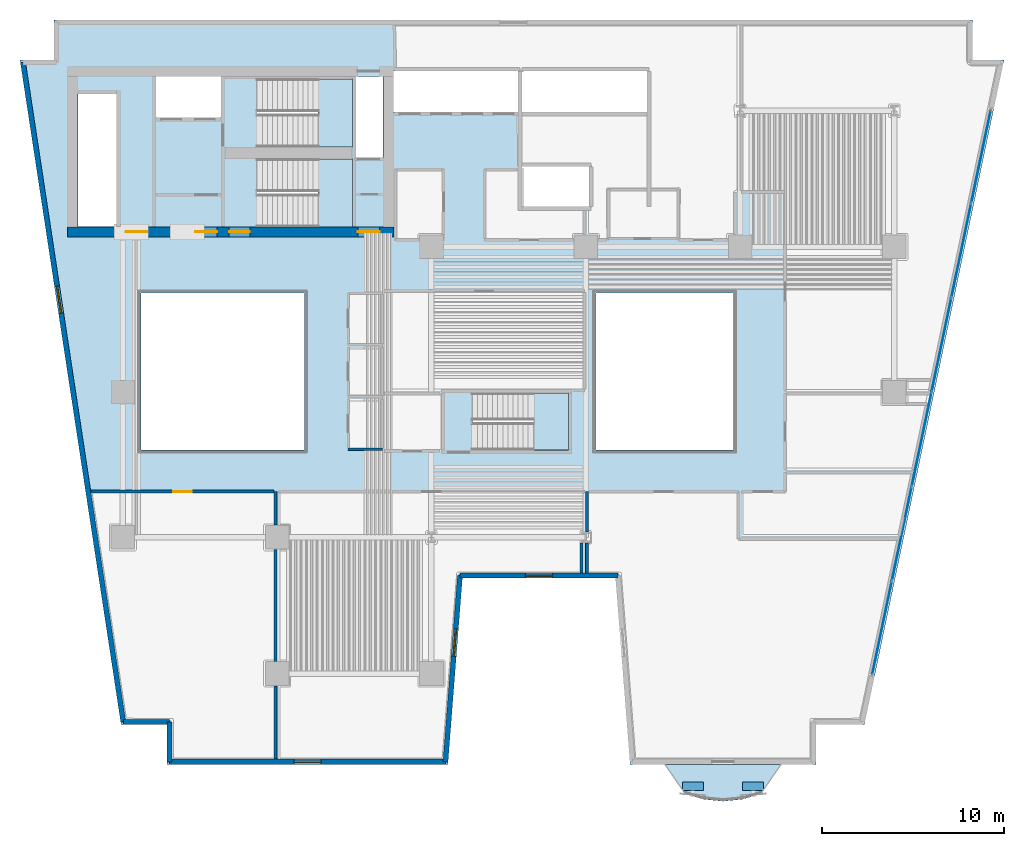
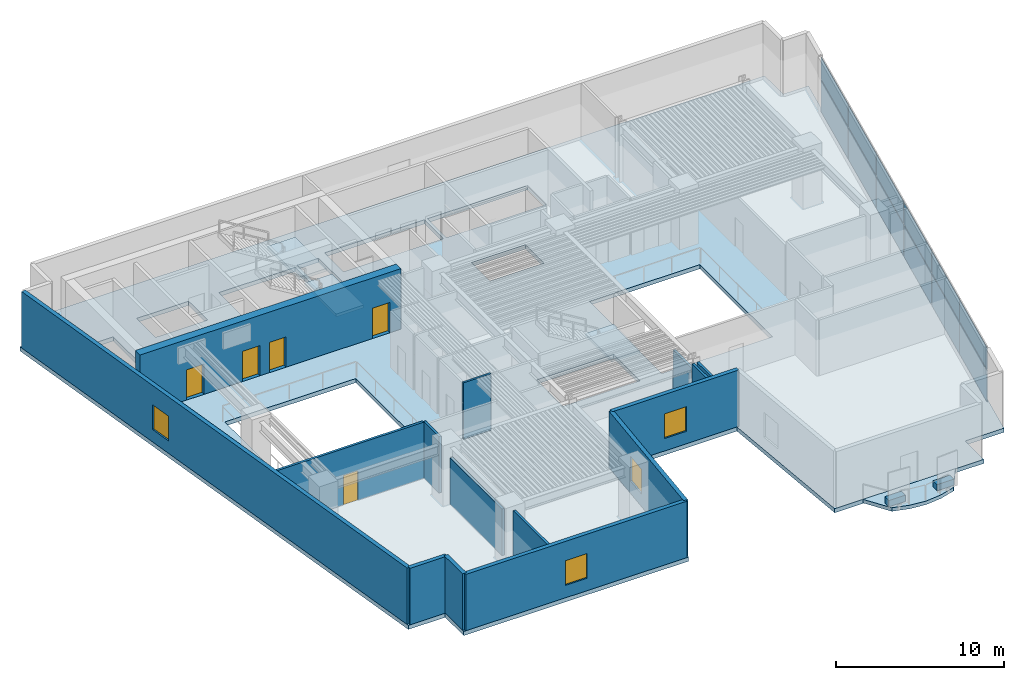
# One storey, part 3 of 12: 15 walls, 14 plates, 5 doors, 5 slabs, 4 windows, 9 openings, 4 elements without a shape of their own.
"""IFC4 building model written with IfcOpenShell, lengths in metres."""

from ifc_helpers import new_model, si_unit, direction, frame, frame_2d, origin, origin_2d, place, context, subcontext, project, spatial, polyline, rectangle, outline, extrude, material, layer, layer_set, type_object, element, fill, aggregate, save


model = new_model("IFC4")

# Units and contexts
model_context = context("Model", 3, precision=1e-05, world=origin(), true_north=direction((0.0, 1.0)))
body_context = subcontext(model_context, "Body", "Model", "MODEL_VIEW")
ifc_project = project(units=[si_unit("LENGTHUNIT", "METRE"), si_unit("AREAUNIT", "SQUARE_METRE"), si_unit("VOLUMEUNIT", "CUBIC_METRE"), si_unit("PLANEANGLEUNIT", "RADIAN"), si_unit("MASSUNIT", "GRAM", prefix="KILO")], contexts=[model_context])

# Site, building, storey
site_placement = place(None, origin())
site = spatial("IfcSite", under=ifc_project, at=site_placement, CompositionType="ELEMENT")
building_placement = place(site_placement, origin())
building = spatial("IfcBuilding", under=site, at=building_placement, Name="Caeloran Harvest Quay", CompositionType="ELEMENT")
storey_placement = place(building_placement, frame((0.0, 0.0, 35.800048828125)))
storey = spatial("IfcBuildingStorey", under=building, at=storey_placement, Name="L08", CompositionType="ELEMENT", Elevation=35.800048828125)

# Slab
ifc_material_1 = material(Name="Concrete C50/60", Category="concrete")
ifc_layer_1 = layer(ifc_material_1, 0.260009765625, Name="Concrete C50/60")
ifc_layer_set_1 = layer_set([ifc_layer_1], Name="Concrete C50/60")
slab_type_1 = type_object("IfcSlabType", Name="BALCONY-BL-260", PredefinedType="FLOOR", material=ifc_layer_set_1)
slab_1_placement = place(storey_placement, frame((0.0, 0.0, -0.260009765625)))
element("IfcSlab", 1, at=slab_1_placement, inside=storey, type_object=slab_type_1, Name="L08 Scalloped Cantilevered Planted Balcony Slab", PredefinedType="FLOOR", context=body_context, shape_type="SweptSolid", body=[
    extrude(outline(polyline([(43.686767578125, 0.876708984375), (42.622802734375, 0.573974609375), (41.55859375, 0.463134765625), (40.494384765625, 0.573974609375), (39.43017578125, 0.876708984375), (38.37890625, 2.5), (44.738037109375, 2.5), (43.686767578125, 0.876708984375)])), origin(), (0.0, 0.0, 1.0), 0.260009765625),
])

# Curtain wall, plates
ifc_material_2 = material(Name="Aluminium 6063-T6 and Low-E Glazing", Category="aluminium")
ifc_layer_2 = layer(ifc_material_2, 0.199951171875, Name="Aluminium 6063-T6 and Low-E Glazing")
ifc_layer_set_2 = layer_set([ifc_layer_2], Name="Aluminium 6063-T6 and Low-E Glazing")
curtain_wall_type = type_object("IfcCurtainWallType", Name="CW-SYS-CW-2", PredefinedType="USERDEFINED", material=ifc_layer_set_2)
curtain_wall_placement = place(storey_placement, origin())
curtain_wall = element("IfcCurtainWall", 2, at=curtain_wall_placement, inside=storey, type_object=curtain_wall_type, Name="L08 Unitised Curtain Wall CW-2 Run 9", ObjectType="CURTAIN_WALL", PredefinedType="USERDEFINED")
ifc_material_3 = material(Name="Low-E Double Glazed Vision Glass Unit", Category="glass")
ifc_layer_3 = layer(ifc_material_3, 0.035888671875, Name="Low-E Double Glazed Vision Glass Unit")
ifc_layer_set_3 = layer_set([ifc_layer_3], Name="Low-E Double Glazed Vision Glass Unit")
plate_type_1 = type_object("IfcPlateType", Name="CW-VISION-PANEL", PredefinedType="CURTAIN_PANEL", material=ifc_layer_set_3)
plate_1_placement = place(storey_placement, frame((55.780029296875, 35.993408203125, 0.080078125), z_axis=(0.0, 0.0, 1.0), x_axis=(-0.205582960081, -0.978639691881, 0.0)))
plate_1 = element("IfcPlate", 3, at=plate_1_placement, type_object=plate_type_1, Name="CW-2 panel 1.1", PredefinedType="CURTAIN_PANEL", context=body_context, shape_type="SweptSolid", body=[
    extrude(rectangle(XDim=5.19873046875, YDim=0.035888671875, at=origin_2d()), origin(), (0.0, 0.0, 1.0), 2.280029296875),
])
plate_2_placement = place(storey_placement, frame((55.780029296875, 35.993408203125, 2.43994140625), z_axis=(0.0, 0.0, 1.0), x_axis=(-0.205582960081, -0.978639691881, 0.0)))
plate_2 = element("IfcPlate", 4, at=plate_2_placement, type_object=plate_type_1, Name="CW-2 panel 1.2", PredefinedType="CURTAIN_PANEL", context=body_context, shape_type="SweptSolid", body=[
    extrude(rectangle(XDim=5.19873046875, YDim=0.035888671875, at=origin_2d()), origin(), (0.0, 0.0, 1.0), 1.580078125),
])
plate_3_placement = place(storey_placement, frame((54.690673828125, 30.807861328125, 0.080078125), z_axis=(0.0, 0.0, 1.0), x_axis=(-0.205582960081, -0.978639691881, 0.0)))
plate_3 = element("IfcPlate", 5, at=plate_3_placement, type_object=plate_type_1, Name="CW-2 panel 2.1", PredefinedType="CURTAIN_PANEL", context=body_context, shape_type="SweptSolid", body=[
    extrude(rectangle(XDim=5.23876953125, YDim=0.035888671875, at=origin_2d()), origin(), (0.0, 0.0, 1.0), 2.280029296875),
])
plate_4_placement = place(storey_placement, frame((54.690673828125, 30.807861328125, 2.43994140625), z_axis=(0.0, 0.0, 1.0), x_axis=(-0.205582960081, -0.978639691881, 0.0)))
plate_4 = element("IfcPlate", 6, at=plate_4_placement, type_object=plate_type_1, Name="CW-2 panel 2.2", PredefinedType="CURTAIN_PANEL", context=body_context, shape_type="SweptSolid", body=[
    extrude(rectangle(XDim=5.23876953125, YDim=0.035888671875, at=origin_2d()), origin(), (0.0, 0.0, 1.0), 1.580078125),
])
plate_5_placement = place(storey_placement, frame((53.59716796875, 25.6025390625, 0.080078125), z_axis=(0.0, 0.0, 1.0), x_axis=(-0.205582960081, -0.978639691881, 0.0)))
plate_5 = element("IfcPlate", 7, at=plate_5_placement, type_object=plate_type_1, Name="CW-2 panel 3.1", PredefinedType="CURTAIN_PANEL", context=body_context, shape_type="SweptSolid", body=[
    extrude(rectangle(XDim=5.23876953125, YDim=0.035888671875, at=origin_2d()), origin(), (0.0, 0.0, 1.0), 2.280029296875),
])
plate_6_placement = place(storey_placement, frame((53.59716796875, 25.6025390625, 2.43994140625), z_axis=(0.0, 0.0, 1.0), x_axis=(-0.205582960081, -0.978639691881, 0.0)))
plate_6 = element("IfcPlate", 8, at=plate_6_placement, type_object=plate_type_1, Name="CW-2 panel 3.2", PredefinedType="CURTAIN_PANEL", context=body_context, shape_type="SweptSolid", body=[
    extrude(rectangle(XDim=5.23876953125, YDim=0.035888671875, at=origin_2d()), origin(), (0.0, 0.0, 1.0), 1.580078125),
])
plate_7_placement = place(storey_placement, frame((52.503662109375, 20.3974609375, 0.080078125), z_axis=(0.0, 0.0, 1.0), x_axis=(-0.205582960081, -0.978639691881, 0.0)))
plate_7 = element("IfcPlate", 9, at=plate_7_placement, type_object=plate_type_1, Name="CW-2 panel 4.1", PredefinedType="CURTAIN_PANEL", context=body_context, shape_type="SweptSolid", body=[
    extrude(rectangle(XDim=5.23876953125, YDim=0.035888671875, at=origin_2d()), origin(), (0.0, 0.0, 1.0), 2.280029296875),
])
plate_8_placement = place(storey_placement, frame((52.503662109375, 20.3974609375, 2.43994140625), z_axis=(0.0, 0.0, 1.0), x_axis=(-0.205582960081, -0.978639691881, 0.0)))
plate_8 = element("IfcPlate", 10, at=plate_8_placement, type_object=plate_type_1, Name="CW-2 panel 4.2", PredefinedType="CURTAIN_PANEL", context=body_context, shape_type="SweptSolid", body=[
    extrude(rectangle(XDim=5.23876953125, YDim=0.035888671875, at=origin_2d()), origin(), (0.0, 0.0, 1.0), 1.580078125),
])
plate_9_placement = place(storey_placement, frame((51.41015625, 15.192138671875, 0.080078125), z_axis=(0.0, 0.0, 1.0), x_axis=(-0.205582960081, -0.978639691881, 0.0)))
plate_9 = element("IfcPlate", 11, at=plate_9_placement, type_object=plate_type_1, Name="CW-2 panel 5.1", PredefinedType="CURTAIN_PANEL", context=body_context, shape_type="SweptSolid", body=[
    extrude(rectangle(XDim=5.23876953125, YDim=0.035888671875, at=origin_2d()), origin(), (0.0, 0.0, 1.0), 2.280029296875),
])
plate_10_placement = place(storey_placement, frame((51.41015625, 15.192138671875, 2.43994140625), z_axis=(0.0, 0.0, 1.0), x_axis=(-0.205582960081, -0.978639691881, 0.0)))
plate_10 = element("IfcPlate", 12, at=plate_10_placement, type_object=plate_type_1, Name="CW-2 panel 5.2", PredefinedType="CURTAIN_PANEL", context=body_context, shape_type="SweptSolid", body=[
    extrude(rectangle(XDim=5.23876953125, YDim=0.035888671875, at=origin_2d()), origin(), (0.0, 0.0, 1.0), 1.580078125),
])
plate_11_placement = place(storey_placement, frame((50.321044921875, 10.006591796875, 0.080078125), z_axis=(0.0, 0.0, 1.0), x_axis=(-0.205582960081, -0.978639691881, 0.0)))
plate_11 = element("IfcPlate", 13, at=plate_11_placement, type_object=plate_type_1, Name="CW-2 panel 6.1", PredefinedType="CURTAIN_PANEL", context=body_context, shape_type="SweptSolid", body=[
    extrude(rectangle(XDim=5.19873046875, YDim=0.035888671875, at=origin_2d()), origin(), (0.0, 0.0, 1.0), 2.280029296875),
])
plate_12_placement = place(storey_placement, frame((50.321044921875, 10.006591796875, 2.43994140625), z_axis=(0.0, 0.0, 1.0), x_axis=(-0.205582960081, -0.978639691881, 0.0)))
plate_12 = element("IfcPlate", 14, at=plate_12_placement, type_object=plate_type_1, Name="CW-2 panel 6.2", PredefinedType="CURTAIN_PANEL", context=body_context, shape_type="SweptSolid", body=[
    extrude(rectangle(XDim=5.19873046875, YDim=0.035888671875, at=origin_2d()), origin(), (0.0, 0.0, 1.0), 1.580078125),
])
aggregate(curtain_wall, [plate_1, plate_2, plate_3, plate_4, plate_5, plate_6, plate_7, plate_8, plate_9, plate_10, plate_11, plate_12])

# Plates
ifc_material_4 = material(Name="Precast concrete C50/60", Category="concrete")
ifc_layer_4 = layer(ifc_material_4, 0.449951171875, Name="Precast concrete C50/60")
ifc_layer_set_4 = layer_set([ifc_layer_4], Name="Precast concrete C50/60")
plate_type_2 = type_object("IfcPlateType", Name="PLANTER-TROUGH-450", PredefinedType="USERDEFINED", material=ifc_layer_set_4)
for number, where, z_axis, x_axis, name in (
    (15, (43.218505859375, 1.290283203125, 0.0), (0.0, 0.0, 1.0), (1.0, 0.0, 0.0), "L08 Balcony Vertical-Greenery Precast PLANTER Trough 1"),
    (16, (39.8984375, 1.290283203125, 0.0), (0.0, 0.0, 1.0), (1.0, 0.0, 0.0), "L08 Balcony Vertical-Greenery Precast PLANTER Trough 2"),
):
    element("IfcPlate", number, at=place(storey_placement, frame(where, z_axis=z_axis, x_axis=x_axis)), inside=storey, type_object=plate_type_2, Name=name, ObjectType="PLANTER", PredefinedType="USERDEFINED", context=body_context, shape_type="SweptSolid", body=[
        extrude(rectangle(XDim=1.14990234375, YDim=0.47998046875, at=origin_2d()), origin(), (0.0, 0.0, 1.0), 0.449951171875),
    ])

# Slab
ifc_layer_5 = layer(ifc_material_1, 0.300048828125, Name="Concrete C50/60")
ifc_layer_set_5 = layer_set([ifc_layer_5], Name="Concrete C50/60")
slab_type_2 = type_object("IfcSlabType", Name="SLAB-FS-300", PredefinedType="FLOOR", material=ifc_layer_set_5)
slab_2_placement = place(storey_placement, frame((0.0, 0.0, -0.300048828125)))
element("IfcSlab", 17, at=slab_2_placement, inside=storey, type_object=slab_type_2, Name="L08 Structural Floor Slab", PredefinedType="FLOOR", context=body_context, shape_type="SweptSolid", body=[
    extrude(outline(polyline([(10.93701171875, 2.5), (26.403076171875, 2.5), (27.202880859375, 12.75), (35.640380859375, 12.75), (36.4404296875, 2.5), (46.68701171875, 2.5), (46.68701171875, 4.699951171875), (49.34912109375, 4.699951171875), (57.037841796875, 41.300048828125), (55.300048828125, 41.300048828125), (55.300048828125, 43.5), (4.699951171875, 43.5), (4.699951171875, 41.300048828125), (2.834716796875, 41.300048828125), (8.40234375, 4.699951171875), (10.93701171875, 4.699951171875), (10.93701171875, 2.5)]), holes=[polyline([(18.5, 19.800048828125), (9.5, 19.800048828125), (9.5, 28.449951171875), (18.5, 28.449951171875), (18.5, 19.800048828125)]), polyline([(15.89990234375, 32.10009765625), (15.89990234375, 35.85009765625), (21.14990234375, 35.85009765625), (21.14990234375, 32.10009765625), (15.89990234375, 32.10009765625)]), polyline([(8.159912109375, 32.1201171875), (6.02001953125, 32.1201171875), (6.02001953125, 39.419921875), (8.159912109375, 39.419921875), (8.159912109375, 32.1201171875)]), polyline([(21.35009765625, 35.919921875), (21.35009765625, 40.3798828125), (22.830078125, 40.3798828125), (22.830078125, 35.919921875), (21.35009765625, 35.919921875)]), polyline([(15.89990234375, 40.25), (21.14990234375, 40.25), (21.14990234375, 36.5), (15.89990234375, 36.5), (15.89990234375, 40.25)]), polyline([(13.89990234375, 38.1201171875), (10.320068359375, 38.1201171875), (10.320068359375, 40.3798828125), (13.89990234375, 40.3798828125), (13.89990234375, 38.1201171875)]), polyline([(27.75, 22.949951171875), (33.050048828125, 22.949951171875), (33.050048828125, 19.800048828125), (27.75, 19.800048828125), (27.75, 22.949951171875)]), polyline([(34.550048828125, 19.800048828125), (34.550048828125, 28.449951171875), (42.14990234375, 28.449951171875), (42.14990234375, 19.800048828125), (34.550048828125, 19.800048828125)]), polyline([(34.199951171875, 33.219970703125), (30.47998046875, 33.219970703125), (30.47998046875, 35.429931640625), (34.199951171875, 35.429931640625), (34.199951171875, 33.219970703125)]), polyline([(23.419921875, 38.419921875), (23.419921875, 40.679931640625), (30.280029296875, 40.679931640625), (30.280029296875, 38.419921875), (23.419921875, 38.419921875)]), polyline([(30.47998046875, 38.419921875), (30.47998046875, 40.679931640625), (37.3798828125, 40.679931640625), (37.3798828125, 38.419921875), (30.47998046875, 38.419921875)])]), origin(), (0.0, 0.0, 1.0), 0.300048828125),
])

# Stair, slab
stair_type_1 = type_object("IfcStairType", Name="STAIR-STC-180", PredefinedType="HALF_TURN_STAIR", material=ifc_material_1)
stair_1_placement = place(storey_placement, origin())
stair_1 = element("IfcStair", 18, at=stair_1_placement, inside=storey, type_object=stair_type_1, Name="L08 Core Pressurized Exit Stair ST-C1", PredefinedType="HALF_TURN_STAIR")
ifc_layer_6 = layer(ifc_material_1, 0.219970703125, Name="Concrete C50/60")
ifc_layer_set_6 = layer_set([ifc_layer_6], Name="Concrete C50/60")
slab_type_3 = type_object("IfcSlabType", Name="STAIR-LANDING-220", PredefinedType="LANDING", material=ifc_layer_set_6)
slab_3_placement = place(storey_placement, frame((0.0, 0.0, 2.0)))
slab_3 = element("IfcSlab", 19, at=slab_3_placement, type_object=slab_type_3, Name="ST-C1 landing 1", PredefinedType="LANDING", context=body_context, shape_type="SweptSolid", body=[
    extrude(outline(polyline([(19.260009765625, 36.5), (21.14990234375, 36.5), (21.14990234375, 40.25), (19.260009765625, 40.25), (19.260009765625, 36.5)])), origin(), (0.0, 0.0, 1.0), 0.199951171875),
])
aggregate(stair_1, [slab_3])

stair_2_placement = place(storey_placement, origin())
stair_2 = element("IfcStair", 20, at=stair_2_placement, inside=storey, type_object=stair_type_1, Name="L08 Core Pressurized Exit Stair ST-C2", PredefinedType="HALF_TURN_STAIR")
slab_4_placement = place(storey_placement, frame((0.0, 0.0, 2.0)))
slab_4 = element("IfcSlab", 21, at=slab_4_placement, type_object=slab_type_3, Name="ST-C2 landing 1", PredefinedType="LANDING", context=body_context, shape_type="SweptSolid", body=[
    extrude(outline(polyline([(19.260009765625, 32.10009765625), (21.14990234375, 32.10009765625), (21.14990234375, 35.85009765625), (19.260009765625, 35.85009765625), (19.260009765625, 32.10009765625)])), origin(), (0.0, 0.0, 1.0), 0.199951171875),
])
aggregate(stair_2, [slab_4])

stair_type_2 = type_object("IfcStairType", Name="STAIR-STW-150", PredefinedType="HALF_TURN_STAIR", material=ifc_material_1)
stair_3_placement = place(storey_placement, origin())
stair_3 = element("IfcStair", 22, at=stair_3_placement, inside=storey, type_object=stair_type_2, Name="L08 East Wing Protected Exit Stair ST-W1", PredefinedType="HALF_TURN_STAIR")
slab_5_placement = place(storey_placement, frame((0.0, 0.0, 2.0)))
slab_5 = element("IfcSlab", 23, at=slab_5_placement, type_object=slab_type_3, Name="ST-W1 landing 1", PredefinedType="LANDING", context=body_context, shape_type="SweptSolid", body=[
    extrude(outline(polyline([(31.110107421875, 19.800048828125), (33.050048828125, 19.800048828125), (33.050048828125, 22.949951171875), (31.110107421875, 22.949951171875), (31.110107421875, 19.800048828125)])), origin(), (0.0, 0.0, 1.0), 0.199951171875),
])
aggregate(stair_3, [slab_5])

# Walls
ifc_layer_7 = layer(ifc_material_4, 0.280029296875, Name="Precast concrete C50/60")
ifc_layer_set_7 = layer_set([ifc_layer_7], Name="Precast concrete C50/60")
wall_type_1 = type_object("IfcWallType", Name="ENV-WALL-EW-280", PredefinedType="STANDARD", material=ifc_layer_set_7)
wall_1_placement = place(storey_placement, frame((11.076904296875, 2.639892578125, 0.0), z_axis=(0.0, 0.0, 1.0), x_axis=(0.0, 1.0, 0.0)))
element("IfcWall", 24, at=wall_1_placement, inside=storey, type_object=wall_type_1, Name="L08 Exterior Precast Concrete Facade Wall 1", PredefinedType="STANDARD", context=body_context, shape_type="SweptSolid", body=[
    extrude(rectangle(XDim=2.2001953125, YDim=0.280029296875, at=frame_2d((1.10009765625, 0.0))), origin(), (0.0, 0.0, 1.0), 4.099853515625),
])
wall_2_placement = place(storey_placement, frame((11.076904296875, 4.840087890625, 0.0), z_axis=(0.0, 0.0, 1.0), x_axis=(-1.0, 0.0, 0.0)))
element("IfcWall", 25, at=wall_2_placement, inside=storey, type_object=wall_type_1, Name="L08 Exterior Precast Concrete Facade Wall 2", PredefinedType="STANDARD", context=body_context, shape_type="SweptSolid", body=[
    extrude(rectangle(XDim=2.55419921875, YDim=0.280029296875, at=frame_2d((1.277099609375, 0.0))), origin(), (0.0, 0.0, 1.0), 4.099853515625),
])

# Wall, opening, window
wall_3_placement = place(storey_placement, frame((8.522705078125, 4.840087890625, 0.0), z_axis=(0.0, 0.0, 1.0), x_axis=(-0.150394554312, 0.988626055712, 0.0)))
wall_3 = element("IfcWall", 26, at=wall_3_placement, inside=storey, type_object=wall_type_1, Name="L08 Exterior Precast Concrete Facade Wall 3", PredefinedType="STANDARD", context=body_context, shape_type="SweptSolid", body=[
    extrude(rectangle(XDim=36.73779296875, YDim=0.280029296875, at=frame_2d((18.368896484375, 0.0))), origin(), (0.0, 0.0, 1.0), 4.099853515625),
])
opening_1_placement = place(wall_3_placement, frame((22.761962890625, 0.0, 0.89990234375)))
opening_1 = element("IfcOpeningElement", 27, at=opening_1_placement, cuts=wall_3, Name="Opening W-03", PredefinedType="OPENING", context=body_context, shape_type="SweptSolid", body=[
    extrude(rectangle(XDim=1.5, YDim=1.800048828125, at=frame_2d((0.75, 0.89990234375))), frame((0.0, 0.14990234375, 0.0), z_axis=(0.0, -1.0, 0.0), x_axis=(1.0, 0.0, 0.0)), (0.0, 0.0, 1.0), 0.300048828125),
])
ifc_material_5 = material(Name="Aluminium-Framed Low-E Laminated Glass", Category="aluminium")
window_type = type_object("IfcWindowType", Name="WIN-W-03", PartitioningType="SINGLE_PANEL", PredefinedType="WINDOW", material=ifc_material_5)
window_1_placement = place(opening_1_placement, origin())
window_1 = element("IfcWindow", 28, at=window_1_placement, inside=storey, type_object=window_type, Name="L08 Facade Punched Window W-03", OverallHeight=1.800048828125, OverallWidth=1.5, PartitioningType="SINGLE_PANEL", PredefinedType="WINDOW", context=body_context, shape_type="SweptSolid", body=[
    extrude(rectangle(XDim=1.5, YDim=1.800048828125, at=frame_2d((0.75, 0.89990234375))), frame((0.0, 0.030029296875, 0.0), z_axis=(0.0, -1.0, 0.0), x_axis=(1.0, 0.0, 0.0)), (0.0, 0.0, 1.0), 0.06005859375),
])
fill(opening_1, window_1)

wall_4_placement = place(storey_placement, frame((35.77001953125, 12.889892578125, 0.0), z_axis=(0.0, 0.0, 1.0), x_axis=(-1.0, 0.0, 0.0)))
wall_4 = element("IfcWall", 29, at=wall_4_placement, inside=storey, type_object=wall_type_1, Name="L08 Exterior Precast Concrete Facade Wall 14", PredefinedType="STANDARD", context=body_context, shape_type="SweptSolid", body=[
    extrude(rectangle(XDim=8.696533203125, YDim=0.280029296875, at=frame_2d((4.34814453125, 0.0))), origin(), (0.0, 0.0, 1.0), 4.099853515625),
])
opening_2_placement = place(wall_4_placement, frame((3.597900390625, 0.0, 0.89990234375)))
opening_2 = element("IfcOpeningElement", 30, at=opening_2_placement, cuts=wall_4, Name="Opening W-03", PredefinedType="OPENING", context=body_context, shape_type="SweptSolid", body=[
    extrude(rectangle(XDim=1.5, YDim=1.800048828125, at=frame_2d((0.75, 0.89990234375))), frame((0.0, 0.14990234375, 0.0), z_axis=(0.0, -1.0, 0.0), x_axis=(1.0, 0.0, 0.0)), (0.0, 0.0, 1.0), 0.300048828125),
])
window_2_placement = place(opening_2_placement, origin())
window_2 = element("IfcWindow", 31, at=window_2_placement, inside=storey, type_object=window_type, Name="L08 Facade Punched Window W-03", OverallHeight=1.800048828125, OverallWidth=1.5, PartitioningType="SINGLE_PANEL", PredefinedType="WINDOW", context=body_context, shape_type="SweptSolid", body=[
    extrude(rectangle(XDim=1.5, YDim=1.800048828125, at=frame_2d((0.75, 0.89990234375))), frame((0.0, 0.030029296875, 0.0), z_axis=(0.0, -1.0, 0.0), x_axis=(1.0, 0.0, 0.0)), (0.0, 0.0, 1.0), 0.06005859375),
])
fill(opening_2, window_2)

wall_5_placement = place(storey_placement, frame((27.073486328125, 12.889892578125, 0.0), z_axis=(0.0, 0.0, 1.0), x_axis=(-0.077816860153, -0.996967670627, 0.0)))
wall_5 = element("IfcWall", 32, at=wall_5_placement, inside=storey, type_object=wall_type_1, Name="L08 Exterior Precast Concrete Facade Wall 15", PredefinedType="STANDARD", context=body_context, shape_type="SweptSolid", body=[
    extrude(rectangle(XDim=10.28125, YDim=0.280029296875, at=frame_2d((5.140625, 0.0))), origin(), (0.0, 0.0, 1.0), 4.099853515625),
])
opening_3_placement = place(wall_5_placement, frame((2.950927734375, 0.0, 0.89990234375)))
opening_3 = element("IfcOpeningElement", 33, at=opening_3_placement, cuts=wall_5, Name="Opening W-03", PredefinedType="OPENING", context=body_context, shape_type="SweptSolid", body=[
    extrude(rectangle(XDim=1.5, YDim=1.800048828125, at=frame_2d((0.75, 0.89990234375))), frame((0.0, 0.14990234375, 0.0), z_axis=(0.0, -1.0, 0.0), x_axis=(1.0, 0.0, 0.0)), (0.0, 0.0, 1.0), 0.300048828125),
])
window_3_placement = place(opening_3_placement, origin())
window_3 = element("IfcWindow", 34, at=window_3_placement, inside=storey, type_object=window_type, Name="L08 Facade Punched Window W-03", OverallHeight=1.800048828125, OverallWidth=1.5, PartitioningType="SINGLE_PANEL", PredefinedType="WINDOW", context=body_context, shape_type="SweptSolid", body=[
    extrude(rectangle(XDim=1.5, YDim=1.800048828125, at=frame_2d((0.75, 0.89990234375))), frame((0.0, 0.030029296875, 0.0), z_axis=(0.0, -1.0, 0.0), x_axis=(1.0, 0.0, 0.0)), (0.0, 0.0, 1.0), 0.06005859375),
])
fill(opening_3, window_3)

wall_6_placement = place(storey_placement, frame((26.2734375, 2.639892578125, 0.0), z_axis=(0.0, 0.0, 1.0), x_axis=(-1.0, 0.0, 0.0)))
wall_6 = element("IfcWall", 35, at=wall_6_placement, inside=storey, type_object=wall_type_1, Name="L08 Exterior Precast Concrete Facade Wall 16", PredefinedType="STANDARD", context=body_context, shape_type="SweptSolid", body=[
    extrude(rectangle(XDim=15.196533203125, YDim=0.280029296875, at=frame_2d((7.59814453125, 0.0))), origin(), (0.0, 0.0, 1.0), 4.099853515625),
])
opening_4_placement = place(wall_6_placement, frame((6.847900390625, 0.0, 0.89990234375)))
opening_4 = element("IfcOpeningElement", 36, at=opening_4_placement, cuts=wall_6, Name="Opening W-03", PredefinedType="OPENING", context=body_context, shape_type="SweptSolid", body=[
    extrude(rectangle(XDim=1.5, YDim=1.800048828125, at=frame_2d((0.75, 0.89990234375))), frame((0.0, 0.14990234375, 0.0), z_axis=(0.0, -1.0, 0.0), x_axis=(1.0, 0.0, 0.0)), (0.0, 0.0, 1.0), 0.300048828125),
])
window_4_placement = place(opening_4_placement, origin())
window_4 = element("IfcWindow", 37, at=window_4_placement, inside=storey, type_object=window_type, Name="L08 Facade Punched Window W-03", OverallHeight=1.800048828125, OverallWidth=1.5, PartitioningType="SINGLE_PANEL", PredefinedType="WINDOW", context=body_context, shape_type="SweptSolid", body=[
    extrude(rectangle(XDim=1.5, YDim=1.800048828125, at=frame_2d((0.75, 0.89990234375))), frame((0.0, 0.030029296875, 0.0), z_axis=(0.0, -1.0, 0.0), x_axis=(1.0, 0.0, 0.0)), (0.0, 0.0, 1.0), 0.06005859375),
])
fill(opening_4, window_4)

# Walls
ifc_material_6 = material(Name="Moisture-Resistant Cement-Board Sanitary Partition", Category="gypsum")
ifc_layer_8 = layer(ifc_material_6, 0.139892578125, Name="Moisture-Resistant Cement-Board Sanitary Partition")
ifc_layer_set_8 = layer_set([ifc_layer_8], Name="Moisture-Resistant Cement-Board Sanitary Partition")
wall_type_2 = type_object("IfcWallType", Name="INT-WALL-PW-140", PredefinedType="PARTITIONING", material=ifc_layer_set_8)
wall_7_placement = place(storey_placement, frame((22.800048828125, 19.85009765625, 0.0), z_axis=(0.0, 0.0, 1.0), x_axis=(-1.0, 0.0, 0.0)))
element("IfcWall", 38, at=wall_7_placement, inside=storey, type_object=wall_type_2, Name="L08 Accessible Unisex Washroom WC Partition Wall", PredefinedType="PARTITIONING", context=body_context, shape_type="SweptSolid", body=[
    extrude(rectangle(XDim=1.89013671875, YDim=0.139892578125, at=frame_2d((0.945068359375, 0.0))), origin(), (0.0, 0.0, 1.0), 4.099853515625),
])
ifc_material_7 = material(Name="Autoclaved Aerated Concrete Blockwork", Category="masonry")
ifc_layer_9 = layer(ifc_material_7, 0.1650390625, Name="Autoclaved Aerated Concrete Blockwork")
ifc_layer_set_9 = layer_set([ifc_layer_9], Name="Autoclaved Aerated Concrete Blockwork")
wall_type_3 = type_object("IfcWallType", Name="INT-WALL-PW-165", PredefinedType="PARTITIONING", material=ifc_layer_set_9)
wall_8_placement = place(storey_placement, frame((34.080078125, 13.034912109375, 0.0), z_axis=(0.0, 0.0, 1.0), x_axis=(0.0, 1.0, 0.0)))
element("IfcWall", 39, at=wall_8_placement, inside=storey, type_object=wall_type_3, Name="Leafy-Greens Hydroponic Growing Hall Partition Wall", PredefinedType="PARTITIONING", context=body_context, shape_type="SweptSolid", body=[
    extrude(rectangle(XDim=1.655517578125, YDim=0.1650390625, at=frame_2d((0.82763671875, 0.0))), origin(), (0.0, 0.0, 1.0), 4.099853515625),
])
wall_9_placement = place(storey_placement, frame((34.080078125, 15.3095703125, 0.0), z_axis=(0.0, 0.0, 1.0), x_axis=(0.0, 1.0, 0.0)))
element("IfcWall", 40, at=wall_9_placement, inside=storey, type_object=wall_type_3, Name="Leafy-Greens Hydroponic Growing Hall Partition Wall", PredefinedType="PARTITIONING", context=body_context, shape_type="SweptSolid", body=[
    extrude(rectangle(XDim=2.21044921875, YDim=0.1650390625, at=frame_2d((1.105224609375, 0.0))), origin(), (0.0, 0.0, 1.0), 3.284912109375),
])
wall_10_placement = place(storey_placement, frame((16.919921875, 17.52001953125, 0.0), z_axis=(0.0, 0.0, 1.0), x_axis=(0.0, -1.0, 0.0)))
element("IfcWall", 41, at=wall_10_placement, inside=storey, type_object=wall_type_3, Name="Aeroponic Root-Mist Growing Chamber Partition Wall", PredefinedType="PARTITIONING", context=body_context, shape_type="SweptSolid", body=[
    extrude(rectangle(XDim=1.844970703125, YDim=0.1650390625, at=frame_2d((0.92236328125, 0.0))), origin(), (0.0, 0.0, 1.0), 4.099853515625),
])
wall_11_placement = place(storey_placement, frame((16.919921875, 14.324951171875, 0.0), z_axis=(0.0, 0.0, 1.0), x_axis=(0.0, -1.0, 0.0)))
element("IfcWall", 42, at=wall_11_placement, inside=storey, type_object=wall_type_3, Name="Aeroponic Root-Mist Growing Chamber Partition Wall", PredefinedType="PARTITIONING", context=body_context, shape_type="SweptSolid", body=[
    extrude(rectangle(XDim=6.14990234375, YDim=0.1650390625, at=frame_2d((3.074951171875, 0.0))), origin(), (0.0, 0.0, 1.0), 3.385009765625),
])
wall_12_placement = place(storey_placement, frame((16.919921875, 6.824951171875, 0.0), z_axis=(0.0, 0.0, 1.0), x_axis=(0.0, -1.0, 0.0)))
element("IfcWall", 43, at=wall_12_placement, inside=storey, type_object=wall_type_3, Name="Aeroponic Root-Mist Growing Chamber Partition Wall", PredefinedType="PARTITIONING", context=body_context, shape_type="SweptSolid", body=[
    extrude(rectangle(XDim=4.0400390625, YDim=0.1650390625, at=frame_2d((2.02001953125, 0.0))), origin(), (0.0, 0.0, 1.0), 4.099853515625),
])

# Wall, opening, door
wall_13_placement = place(storey_placement, frame((6.740478515625, 17.52001953125, 0.0), z_axis=(0.0, 0.0, 1.0), x_axis=(1.0, 0.0, 0.0)))
wall_13 = element("IfcWall", 44, at=wall_13_placement, inside=storey, type_object=wall_type_3, Name="Aeroponic Root-Mist Growing Chamber Partition Wall", PredefinedType="PARTITIONING", context=body_context, shape_type="SweptSolid", body=[
    extrude(rectangle(XDim=10.092041015625, YDim=0.1650390625, at=frame_2d((5.0458984375, 0.0))), origin(), (0.0, 0.0, 1.0), 4.099853515625),
])
opening_5_placement = place(wall_13_placement, frame((4.5458984375, 0.0, 0.0)))
opening_5 = element("IfcOpeningElement", 45, at=opening_5_placement, cuts=wall_13, Name="Opening ID-01", PredefinedType="OPENING", context=body_context, shape_type="SweptSolid", body=[
    extrude(rectangle(XDim=1.0, YDim=2.14990234375, at=frame_2d((0.5, 1.074951171875))), frame((0.0, 0.092529296875, 0.0), z_axis=(0.0, -1.0, 0.0), x_axis=(1.0, 0.0, 0.0)), (0.0, 0.0, 1.0), 0.18505859375),
])
ifc_material_8 = material(Name="FSC Solid-Core Ash Timber and Acoustic Seal", Category="wood")
door_type_1 = type_object("IfcDoorType", Name="INTDOOR-ID-01", OperationType="NOTDEFINED", PredefinedType="DOOR", material=ifc_material_8)
door_1_placement = place(opening_5_placement, origin())
door_1 = element("IfcDoor", 46, at=door_1_placement, inside=storey, type_object=door_type_1, Name="Aeroponic Root-Mist Growing Chamber Access Door", OperationType="SINGLE_SWING_LEFT", OverallHeight=2.14990234375, OverallWidth=1.0, PredefinedType="DOOR", context=body_context, shape_type="SweptSolid", body=[
    extrude(rectangle(XDim=1.0, YDim=2.14990234375, at=frame_2d((0.5, 1.074951171875))), frame((0.0, 0.02490234375, 0.0), z_axis=(0.0, -1.0, 0.0), x_axis=(1.0, 0.0, 0.0)), (0.0, 0.0, 1.0), 0.050048828125),
])
fill(opening_5, door_1)

# Wall
wall_14_placement = place(storey_placement, frame((33.758056640625, 14.6904296875, 0.0), z_axis=(0.0, 0.0, 1.0), x_axis=(0.0, -1.0, 0.0)))
element("IfcWall", 47, at=wall_14_placement, inside=storey, type_object=wall_type_3, Name="Seedling Nursery Room Partition Wall", PredefinedType="PARTITIONING", context=body_context, shape_type="SweptSolid", body=[
    extrude(rectangle(XDim=1.655517578125, YDim=0.1650390625, at=frame_2d((0.82763671875, 0.0))), origin(), (0.0, 0.0, 1.0), 4.099853515625),
])

# Wall, openings, doors
ifc_material_9 = material(Name="Concrete C80/95", Category="concrete")
ifc_layer_10 = layer(ifc_material_9, 0.550048828125, Name="Concrete C80/95")
ifc_layer_set_10 = layer_set([ifc_layer_10], Name="Concrete C80/95")
wall_type_4 = type_object("IfcWallType", Name="STR-WALL-CW-550", PredefinedType="SHEAR", material=ifc_layer_set_10)
wall_15_placement = place(storey_placement, frame((5.449951171875, 31.824951171875, 0.0), z_axis=(0.0, 0.0, 1.0), x_axis=(1.0, 0.0, 0.0)))
wall_15 = element("IfcWall", 48, at=wall_15_placement, inside=storey, type_object=wall_type_4, Name="L08 Rear Core Shear Wall S", PredefinedType="SHEAR", context=body_context, shape_type="SweptSolid", body=[
    extrude(rectangle(XDim=17.949951171875, YDim=0.550048828125, at=frame_2d((8.97509765625, 0.0))), origin(), (0.0, 0.0, 1.0), 4.39990234375),
])
opening_6_placement = place(wall_15_placement, frame((3.199951171875, 0.0, 0.0)))
opening_6 = element("IfcOpeningElement", 49, at=opening_6_placement, cuts=wall_15, Name="Opening FD-01", PredefinedType="OPENING", context=body_context, shape_type="SweptSolid", body=[
    extrude(rectangle(XDim=1.199951171875, YDim=2.199951171875, at=frame_2d((0.60009765625, 1.10009765625))), frame((0.0, 0.28515625, 0.0), z_axis=(0.0, -1.0, 0.0), x_axis=(1.0, 0.0, 0.0)), (0.0, 0.0, 1.0), 0.570068359375),
])
opening_7_placement = place(wall_15_placement, frame((7.050048828125, 0.0, 0.0)))
opening_7 = element("IfcOpeningElement", 50, at=opening_7_placement, cuts=wall_15, Name="Opening FD-01", PredefinedType="OPENING", context=body_context, shape_type="SweptSolid", body=[
    extrude(rectangle(XDim=1.199951171875, YDim=2.199951171875, at=frame_2d((0.60009765625, 1.10009765625))), frame((0.0, 0.28515625, 0.0), z_axis=(0.0, -1.0, 0.0), x_axis=(1.0, 0.0, 0.0)), (0.0, 0.0, 1.0), 0.570068359375),
])
opening_8_placement = place(wall_15_placement, frame((8.89990234375, 0.0, 0.0)))
opening_8 = element("IfcOpeningElement", 51, at=opening_8_placement, cuts=wall_15, Name="Opening SD-01", PredefinedType="OPENING", context=body_context, shape_type="SweptSolid", body=[
    extrude(rectangle(XDim=1.14990234375, YDim=2.199951171875, at=frame_2d((0.574951171875, 1.10009765625))), frame((0.0, 0.28515625, 0.0), z_axis=(0.0, -1.0, 0.0), x_axis=(1.0, 0.0, 0.0)), (0.0, 0.0, 1.0), 0.570068359375),
])
opening_9_placement = place(wall_15_placement, frame((16.0, 0.0, 0.0)))
opening_9 = element("IfcOpeningElement", 52, at=opening_9_placement, cuts=wall_15, Name="Opening FD-01", PredefinedType="OPENING", context=body_context, shape_type="SweptSolid", body=[
    extrude(rectangle(XDim=1.199951171875, YDim=2.199951171875, at=frame_2d((0.60009765625, 1.10009765625))), frame((0.0, 0.28515625, 0.0), z_axis=(0.0, -1.0, 0.0), x_axis=(1.0, 0.0, 0.0)), (0.0, 0.0, 1.0), 0.570068359375),
])
ifc_material_10 = material(Name="Steel", Category="steel")
door_type_2 = type_object("IfcDoorType", Name="INTDOOR-FD-01", OperationType="NOTDEFINED", PredefinedType="DOOR", material=ifc_material_10)
door_2_placement = place(opening_6_placement, origin())
door_2 = element("IfcDoor", 53, at=door_2_placement, inside=storey, type_object=door_type_2, Name="L08 High-Rise Lift Lobby Fire Door", OperationType="SINGLE_SWING_RIGHT", OverallHeight=2.199951171875, OverallWidth=1.199951171875, PredefinedType="DOOR", context=body_context, shape_type="SweptSolid", body=[
    extrude(rectangle(XDim=1.199951171875, YDim=2.199951171875, at=frame_2d((0.60009765625, 1.10009765625))), frame((0.0, 0.02490234375, 0.0), z_axis=(0.0, -1.0, 0.0), x_axis=(1.0, 0.0, 0.0)), (0.0, 0.0, 1.0), 0.050048828125),
])
fill(opening_6, door_2)
door_3_placement = place(opening_7_placement, origin())
door_3 = element("IfcDoor", 54, at=door_3_placement, inside=storey, type_object=door_type_2, Name="L08 Firefighting Lobby Vestibule Fire Door", OperationType="SINGLE_SWING_LEFT", OverallHeight=2.199951171875, OverallWidth=1.199951171875, PredefinedType="DOOR", context=body_context, shape_type="SweptSolid", body=[
    extrude(rectangle(XDim=1.199951171875, YDim=2.199951171875, at=frame_2d((0.60009765625, 1.10009765625))), frame((0.0, 0.02490234375, 0.0), z_axis=(0.0, -1.0, 0.0), x_axis=(1.0, 0.0, 0.0)), (0.0, 0.0, 1.0), 0.050048828125),
])
fill(opening_7, door_3)
door_4_placement = place(opening_9_placement, origin())
door_4 = element("IfcDoor", 55, at=door_4_placement, inside=storey, type_object=door_type_2, Name="L08 Service Lift Lobby Fire Door", OperationType="SINGLE_SWING_LEFT", OverallHeight=2.199951171875, OverallWidth=1.199951171875, PredefinedType="DOOR", context=body_context, shape_type="SweptSolid", body=[
    extrude(rectangle(XDim=1.199951171875, YDim=2.199951171875, at=frame_2d((0.60009765625, 1.10009765625))), frame((0.0, 0.02490234375, 0.0), z_axis=(0.0, -1.0, 0.0), x_axis=(1.0, 0.0, 0.0)), (0.0, 0.0, 1.0), 0.050048828125),
])
fill(opening_9, door_4)
door_type_3 = type_object("IfcDoorType", Name="INTDOOR-SD-01", OperationType="NOTDEFINED", PredefinedType="DOOR", material=ifc_material_10)
door_5_placement = place(opening_8_placement, origin())
door_5 = element("IfcDoor", 56, at=door_5_placement, inside=storey, type_object=door_type_3, Name="L08 Protected Stair ST-C2 Exit Door", OperationType="SINGLE_SWING_RIGHT", OverallHeight=2.199951171875, OverallWidth=1.14990234375, PredefinedType="DOOR", context=body_context, shape_type="SweptSolid", body=[
    extrude(rectangle(XDim=1.14990234375, YDim=2.199951171875, at=frame_2d((0.574951171875, 1.10009765625))), frame((0.0, 0.02490234375, 0.0), z_axis=(0.0, -1.0, 0.0), x_axis=(1.0, 0.0, 0.0)), (0.0, 0.0, 1.0), 0.050048828125),
])
fill(opening_8, door_5)

save(model, "model.ifc")
